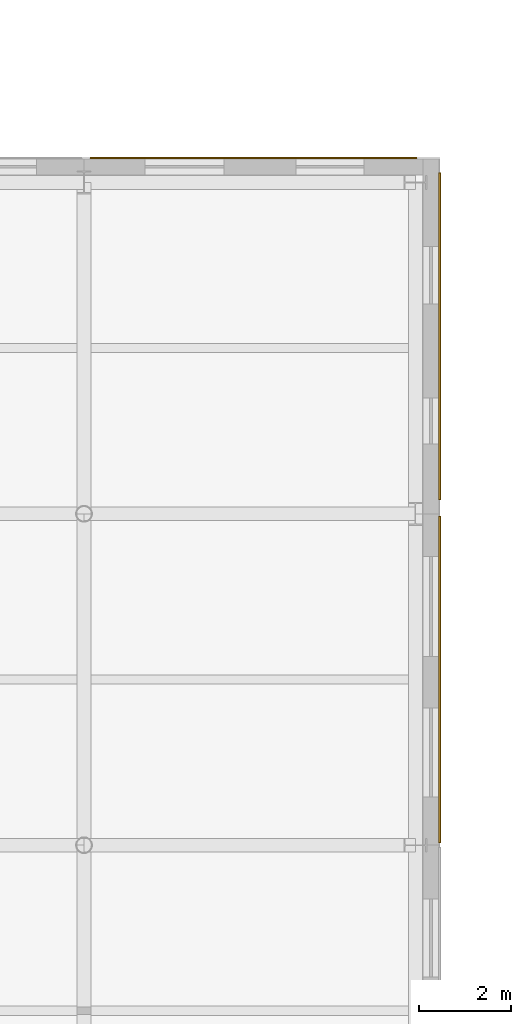
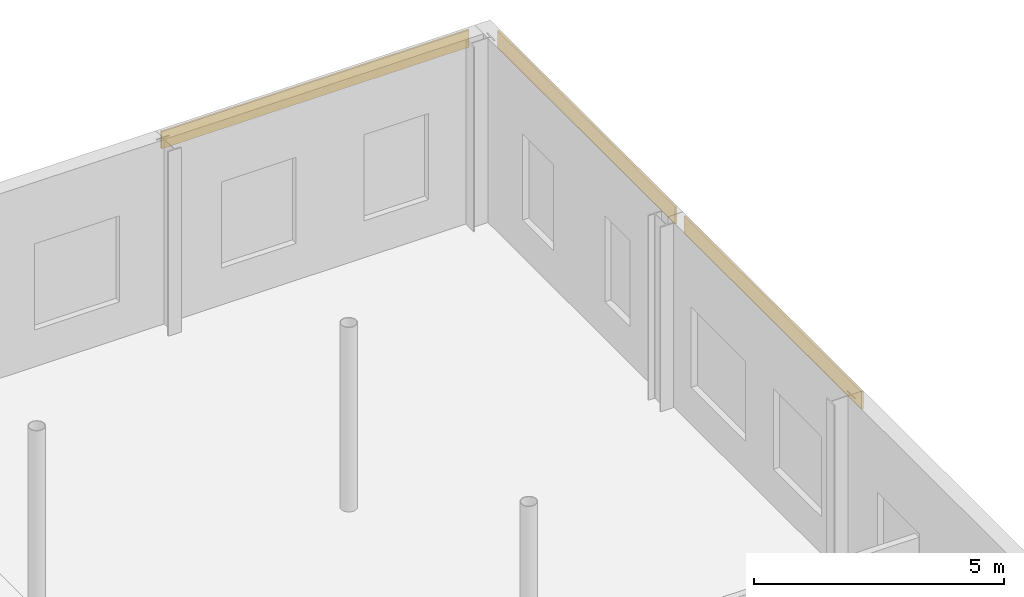
# One storey, part 91 of 92: 3 coverings.
"""IFC4 building model written with IfcOpenShell, lengths in metres."""

from ifc_helpers import new_model, si_unit, direction, frame, origin, origin_2d, place, context, subcontext, project, spatial, rectangle, extrude, material, layer, layer_set, type_object, element, save


model = new_model("IFC4")

# Units and contexts
model_context = context("Model", 3, precision=1e-05, world=origin(), true_north=direction((0.0, 1.0)))
body_context = subcontext(model_context, "Body", "Model", "MODEL_VIEW")
ifc_project = project(units=[si_unit("LENGTHUNIT", "METRE"), si_unit("AREAUNIT", "SQUARE_METRE"), si_unit("VOLUMEUNIT", "CUBIC_METRE"), si_unit("PLANEANGLEUNIT", "RADIAN"), si_unit("MASSUNIT", "GRAM", prefix="KILO")], contexts=[model_context])

# Site, building, storey
site_placement = place(None, origin())
site = spatial("IfcSite", under=ifc_project, at=site_placement, CompositionType="ELEMENT")
building_placement = place(site_placement, origin())
building = spatial("IfcBuilding", under=site, at=building_placement, Name="Zlatovets Crest Museum", CompositionType="ELEMENT")
storey_placement = place(building_placement, origin())
storey = spatial("IfcBuildingStorey", under=building, at=storey_placement, Name="L00", CompositionType="ELEMENT", Elevation=0.0)

# Coverings
ifc_material = material(Name="Polychrome turquoise-gold glazed majolica ceramic frieze")
ifc_layer = layer(ifc_material, 0.0400390625)
ifc_layer_set = layer_set([ifc_layer], Name="Polychrome turquoise-gold glazed majolica ceramic frieze")
covering_type = type_object("IfcCoveringType", Name="MajolicaFrieze_CL01", PredefinedType="CLADDING", material=ifc_layer_set)
for number, where, z_axis, x_axis, name in (
    (1, (166.1298828125, 90.0, 4.010009765625), (0.0, 0.0, 1.0), (0.0, 1.0, 0.0), "Sofia Secession Majolica Plinth Frieze"),
    (2, (166.1298828125, 97.45751953125, 4.010009765625), (0.0, 0.0, 1.0), (0.0, 1.0, 0.0), "Sofia Secession Majolica Plinth Frieze"),
    (3, (162.08251953125, 101.330078125, 4.010009765625), (0.0, 0.0, 1.0), (1.0, 0.0, 0.0), "Sofia Secession Majolica Plinth Frieze"),
):
    element("IfcCovering", number, at=place(storey_placement, frame(where, z_axis=z_axis, x_axis=x_axis)), inside=storey, type_object=covering_type, Name=name, PredefinedType="CLADDING", context=body_context, shape_type="SweptSolid", body=[
        extrude(rectangle(XDim=7.10009765625, YDim=0.0400390625, at=origin_2d()), origin(), (0.0, 0.0, 1.0), 0.419921875),
    ])

save(model, "model.ifc")
